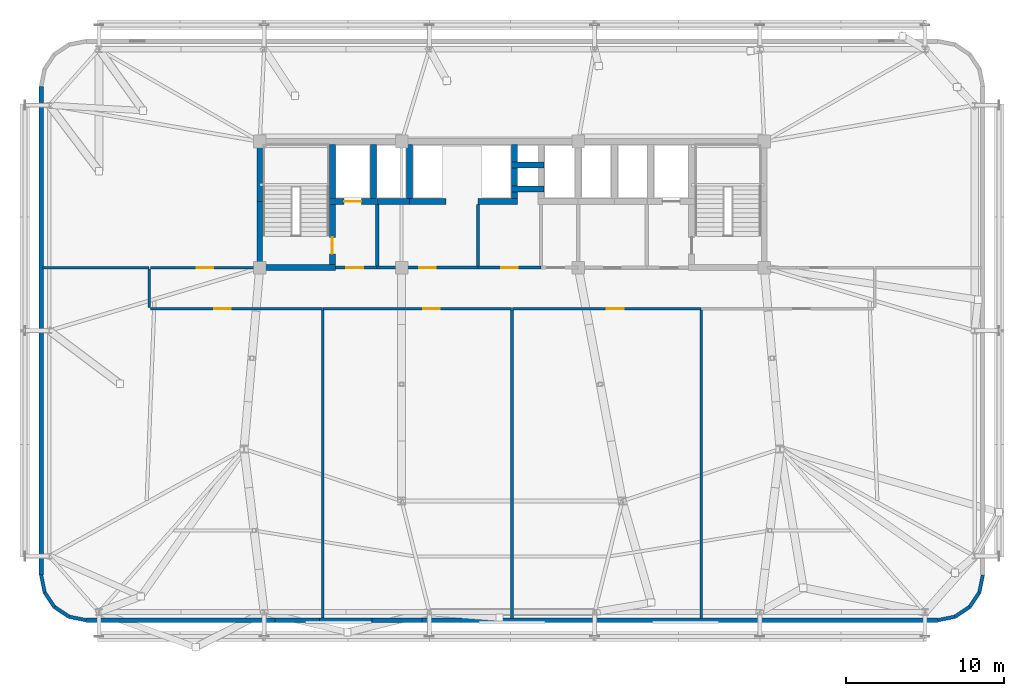
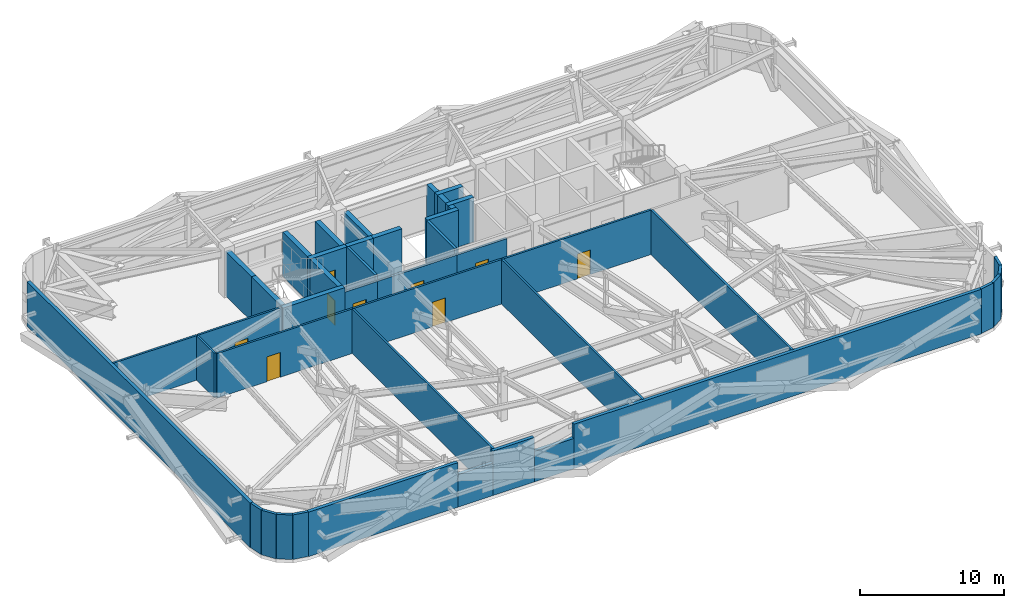
# One storey, part 21 of 24: 44 walls, 9 doors, 9 openings.
"""IFC4 building model written with IfcOpenShell, lengths in metres."""

from ifc_helpers import new_model, si_unit, direction, frame, frame_2d, origin, place, context, subcontext, project, spatial, rectangle, extrude, source, transform, mapped, material, layer, layer_set, type_object, element, fill, save


model = new_model("IFC4")

# Units and contexts
model_context = context("Model", 3, precision=1e-05, world=origin(), true_north=direction((0.0, 1.0)))
body_context = subcontext(model_context, "Body", "Model", "MODEL_VIEW")
ifc_project = project(units=[si_unit("LENGTHUNIT", "METRE"), si_unit("AREAUNIT", "SQUARE_METRE"), si_unit("VOLUMEUNIT", "CUBIC_METRE"), si_unit("PLANEANGLEUNIT", "RADIAN"), si_unit("MASSUNIT", "GRAM", prefix="KILO")], contexts=[model_context])

# Site, building, storey
site_placement = place(None, origin())
site = spatial("IfcSite", under=ifc_project, at=site_placement, CompositionType="ELEMENT")
building_placement = place(site_placement, origin())
building = spatial("IfcBuilding", under=site, at=building_placement, Name="Taldren Reach Tower", CompositionType="ELEMENT")
storey_placement = place(building_placement, frame((0.0, 0.0, 60.89990234375)))
storey = spatial("IfcBuildingStorey", under=building, at=storey_placement, Name="L18", CompositionType="ELEMENT", Elevation=60.89990234375)

# Walls
ifc_material_1 = material(Name="Pale Champagne Anodised Aluminium Cladding", Category="aluminium")
ifc_layer_1 = layer(ifc_material_1, 0.04, Name="Pale Champagne Anodised Aluminium Cladding", Category="aluminium")
ifc_material_2 = material(Name="Mineral Wool Acoustic Insulation", Category="insulation")
ifc_layer_2 = layer(ifc_material_2, 0.06, Name="Mineral Wool Acoustic Insulation", Category="insulation")
ifc_material_3 = material(Name="Steel Gr 350 (C350L0)", Category="steel")
ifc_layer_3 = layer(ifc_material_3, 0.12, Name="Steel Gr 350 (C350L0)", Category="steel")
ifc_layer_set_1 = layer_set([ifc_layer_1, ifc_layer_2, ifc_layer_3], Name="Pale Champagne Aluminium Cladding and Steel Gr 350 Stud Framing")
wall_type_1 = type_object("IfcWallType", Name="EW-CRN-220", PredefinedType="SOLIDWALL", material=ifc_layer_set_1)
shared_shape_1 = source(origin(), body_context, "Body", "SweptSolid", [
    extrude(rectangle(XDim=1.115966796875, YDim=0.219970703125, at=frame_2d((0.55810546875, 0.0))), origin(), (0.0, 0.0, 1.0), 3.780029296875),
])
for number, where, z_axis, x_axis, name in (
    (1, (62.0, 1.639892578125, 0.0), (0.0, 0.0, 1.0), (0.98077373103, 0.195148375659, 0.0), "Rounded-corner pale-metal facade wall L18-SE1"),
    (2, (63.094482421875, 1.857666015625, 0.0), (0.0, 0.0, 1.0), (0.83137650226, 0.555709556774, 0.0), "Rounded-corner pale-metal facade wall L18-SE2"),
    (3, (64.022216796875, 2.477783203125, 0.0), (0.0, 0.0, 1.0), (0.555709556774, 0.83137650226, 0.0), "Rounded-corner pale-metal facade wall L18-SE3"),
    (4, (64.642333984375, 3.405517578125, 0.0), (0.0, 0.0, 1.0), (0.195148375659, 0.98077373103, 0.0), "Rounded-corner pale-metal facade wall L18-SE4"),
    (5, (5.139892578125, 4.5, 0.0), (0.0, 0.0, 1.0), (0.195148375659, -0.98077373103, 0.0), "Rounded-corner pale-metal facade wall L18-SW1"),
    (6, (5.357666015625, 3.405517578125, 0.0), (0.0, 0.0, 1.0), (0.555709556774, -0.83137650226, 0.0), "Rounded-corner pale-metal facade wall L18-SW2"),
    (7, (5.977783203125, 2.477783203125, 0.0), (0.0, 0.0, 1.0), (0.83137650226, -0.555709556774, 0.0), "Rounded-corner pale-metal facade wall L18-SW3"),
    (8, (6.905517578125, 1.857666015625, 0.0), (0.0, 0.0, 1.0), (0.98077373103, -0.195148375659, 0.0), "Rounded-corner pale-metal facade wall L18-SW4"),
):
    element("IfcWall", number, at=place(storey_placement, frame(where, z_axis=z_axis, x_axis=x_axis)), inside=storey, type_object=wall_type_1, Name=name, PredefinedType="SOLIDWALL", context=body_context, shape_type="MappedRepresentation", body=[
        mapped(shared_shape_1, transform((0.0, 0.0, 0.0), scale=1.0)),
    ])
ifc_material_4 = material(Name="Perforated Anodised Aluminium Acoustic Liner", Category="aluminium")
ifc_layer_4 = layer(ifc_material_4, 0.04, Name="Perforated Anodised Aluminium Acoustic Liner", Category="aluminium")
ifc_layer_5 = layer(ifc_material_2, 0.08, Name="Mineral Wool Acoustic Insulation", Category="insulation")
ifc_layer_6 = layer(ifc_material_3, 0.15, Name="Steel Gr 350 (C350L0)", Category="steel")
ifc_layer_set_2 = layer_set([ifc_layer_4, ifc_layer_5, ifc_layer_6], Name="Perforated Anodised Aluminium Liner and Steel Gr 350 Stud Framing")
wall_type_2 = type_object("IfcWallType", Name="EW-PLT-270", PredefinedType="SOLIDWALL", material=ifc_layer_set_2)
shared_shape_2 = source(origin(), body_context, "Body", "SweptSolid", [
    extrude(rectangle(XDim=11.97607421875, YDim=0.27001953125, at=frame_2d((5.988037109375, 0.0))), origin(), (0.0, 0.0, 1.0), 3.780029296875),
])
wall_1_placement = place(storey_placement, frame((8.0, 1.639892578125, 0.0), z_axis=(0.0, 0.0, 1.0), x_axis=(1.0, 0.0, 0.0)))
element("IfcWall", 9, at=wall_1_placement, inside=storey, type_object=wall_type_2, Name="Plant floor perimeter enclosure wall L18-S", PredefinedType="SOLIDWALL", context=body_context, shape_type="MappedRepresentation", body=[
    mapped(shared_shape_2, transform((0.0, 0.0, 0.0), scale=1.0)),
])
shared_shape_3 = source(origin(), body_context, "Body", "SweptSolid", [
    extrude(rectangle(XDim=2.804443359375, YDim=0.27001953125, at=frame_2d((1.40234375, 0.0))), origin(), (0.0, 0.0, 1.0), 2.756103515625),
])
wall_2_placement = place(storey_placement, frame((19.97607421875, 1.639892578125, 0.0), z_axis=(0.0, 0.0, 1.0), x_axis=(1.0, 0.0, 0.0)))
element("IfcWall", 10, at=wall_2_placement, inside=storey, type_object=wall_type_2, Name="Plant floor perimeter enclosure wall L18-S part 2", PredefinedType="SOLIDWALL", context=body_context, shape_type="MappedRepresentation", body=[
    mapped(shared_shape_3, transform((0.0, 0.0, 0.0), scale=1.0)),
])
shared_shape_4 = source(origin(), body_context, "Body", "SweptSolid", [
    extrude(rectangle(XDim=3.33349609375, YDim=0.27001953125, at=frame_2d((1.666748046875, 0.0))), origin(), (0.0, 0.0, 1.0), 3.780029296875),
])
wall_3_placement = place(storey_placement, frame((22.780517578125, 1.639892578125, 0.0), z_axis=(0.0, 0.0, 1.0), x_axis=(1.0, 0.0, 0.0)))
element("IfcWall", 11, at=wall_3_placement, inside=storey, type_object=wall_type_2, Name="Plant floor perimeter enclosure wall L18-S part 3", PredefinedType="SOLIDWALL", context=body_context, shape_type="MappedRepresentation", body=[
    mapped(shared_shape_4, transform((0.0, 0.0, 0.0), scale=1.0)),
])
shared_shape_5 = source(origin(), body_context, "Body", "SweptSolid", [
    extrude(rectangle(XDim=3.171630859375, YDim=0.27001953125, at=frame_2d((1.5859375, 0.0))), origin(), (0.0, 0.0, 1.0), 2.580078125),
])
wall_4_placement = place(storey_placement, frame((26.114013671875, 1.639892578125, 0.0), z_axis=(0.0, 0.0, 1.0), x_axis=(1.0, 0.0, 0.0)))
element("IfcWall", 12, at=wall_4_placement, inside=storey, type_object=wall_type_2, Name="Plant floor perimeter enclosure wall L18-S part 4", PredefinedType="SOLIDWALL", context=body_context, shape_type="MappedRepresentation", body=[
    mapped(shared_shape_5, transform((0.0, 0.0, 0.0), scale=1.0)),
])
shared_shape_6 = source(origin(), body_context, "Body", "SweptSolid", [
    extrude(rectangle(XDim=32.71435546875, YDim=0.27001953125, at=frame_2d((16.357177734375, 0.0))), origin(), (0.0, 0.0, 1.0), 3.780029296875),
])
wall_5_placement = place(storey_placement, frame((29.28564453125, 1.639892578125, 0.0), z_axis=(0.0, 0.0, 1.0), x_axis=(1.0, 0.0, 0.0)))
element("IfcWall", 13, at=wall_5_placement, inside=storey, type_object=wall_type_2, Name="Plant floor perimeter enclosure wall L18-S part 5", PredefinedType="SOLIDWALL", context=body_context, shape_type="MappedRepresentation", body=[
    mapped(shared_shape_6, transform((0.0, 0.0, 0.0), scale=1.0)),
])
shared_shape_7 = source(origin(), body_context, "Body", "SweptSolid", [
    extrude(rectangle(XDim=31.0, YDim=0.27001953125, at=frame_2d((15.5, 0.0))), origin(), (0.0, 0.0, 1.0), 3.780029296875),
])
wall_6_placement = place(storey_placement, frame((5.139892578125, 35.5, 0.0), z_axis=(0.0, 0.0, 1.0), x_axis=(0.0, -1.0, 0.0)))
element("IfcWall", 14, at=wall_6_placement, inside=storey, type_object=wall_type_2, Name="Plant floor perimeter enclosure wall L18-W", PredefinedType="SOLIDWALL", context=body_context, shape_type="MappedRepresentation", body=[
    mapped(shared_shape_7, transform((0.0, 0.0, 0.0), scale=1.0)),
])
ifc_material_5 = material(Name="Concrete S80 (80 MPa)", Category="concrete")
ifc_layer_7 = layer(ifc_material_5, 0.3798828125)
ifc_layer_set_3 = layer_set([ifc_layer_7], Name="Concrete S80 (80 MPa)")
wall_type_3 = type_object("IfcWallType", Name="IW-CORE-380", PredefinedType="SHEAR", material=ifc_layer_set_3)
shared_shape_8 = source(origin(), body_context, "Body", "SweptSolid", [
    extrude(rectangle(XDim=4.010009765625, YDim=0.3798828125, at=frame_2d((2.0048828125, 0.0))), origin(), (0.0, 0.0, 1.0), 3.780029296875),
])
wall_7_placement = place(storey_placement, frame((19.0, 24.18994140625, 0.0), z_axis=(0.0, 0.0, 1.0), x_axis=(0.0, 1.0, 0.0)))
element("IfcWall", 15, at=wall_7_placement, inside=storey, type_object=wall_type_3, Name="Rear Core Shear Wall W-CORE-L18-WEST1", PredefinedType="SHEAR", context=body_context, shape_type="MappedRepresentation", body=[
    mapped(shared_shape_8, transform((0.0, 0.0, 0.0), scale=1.0)),
])
shared_shape_9 = source(origin(), body_context, "Body", "SweptSolid", [
    extrude(rectangle(XDim=3.610107421875, YDim=0.3798828125, at=frame_2d((1.80517578125, 0.0))), origin(), (0.0, 0.0, 1.0), 3.780029296875),
])
wall_8_placement = place(storey_placement, frame((19.0, 28.199951171875, 0.0), z_axis=(0.0, 0.0, 1.0), x_axis=(0.0, 1.0, 0.0)))
element("IfcWall", 16, at=wall_8_placement, inside=storey, type_object=wall_type_3, Name="Rear Core Shear Wall W-CORE-L18-WEST2", PredefinedType="SHEAR", context=body_context, shape_type="MappedRepresentation", body=[
    mapped(shared_shape_9, transform((0.0, 0.0, 0.0), scale=1.0)),
])
shared_shape_10 = source(origin(), body_context, "Body", "SweptSolid", [
    extrude(rectangle(XDim=3.420166015625, YDim=0.3798828125, at=frame_2d((1.7099609375, 0.0))), origin(), (0.0, 0.0, 1.0), 3.780029296875),
])
for number, where, z_axis, x_axis, name in (
    (17, (23.60009765625, 28.389892578125, 0.0), (0.0, 0.0, 1.0), (0.0, 1.0, 0.0), "Rear Core Shear Wall W-INT-L18-001"),
    (18, (26.199951171875, 28.389892578125, 0.0), (0.0, 0.0, 1.0), (0.0, 1.0, 0.0), "Rear Core Shear Wall W-INT-L18-005"),
    (19, (28.5, 28.389892578125, 0.0), (0.0, 0.0, 1.0), (0.0, 1.0, 0.0), "Rear Core Shear Wall W-INT-L18-021"),
):
    element("IfcWall", number, at=place(storey_placement, frame(where, z_axis=z_axis, x_axis=x_axis)), inside=storey, type_object=wall_type_3, Name=name, PredefinedType="SHEAR", context=body_context, shape_type="MappedRepresentation", body=[
        mapped(shared_shape_10, transform((0.0, 0.0, 0.0), scale=1.0)),
    ])

# Wall, opening, door
shared_shape_11 = source(origin(), body_context, "Body", "SweptSolid", [
    extrude(rectangle(XDim=3.820068359375, YDim=0.3798828125, at=frame_2d((1.91015625, 0.0))), origin(), (0.0, 0.0, 1.0), 3.780029296875),
])
wall_9_placement = place(storey_placement, frame((23.60009765625, 24.18994140625, 0.0), z_axis=(0.0, 0.0, 1.0), x_axis=(0.0, 1.0, 0.0)))
wall_9 = element("IfcWall", 20, at=wall_9_placement, inside=storey, type_object=wall_type_3, Name="Rear Core Shear Wall W-INT-L18-002", PredefinedType="SHEAR", context=body_context, shape_type="MappedRepresentation", body=[
    mapped(shared_shape_11, transform((0.0, 0.0, 0.0), scale=1.0)),
])
shared_shape_12 = source(origin(), body_context, "Body", "SweptSolid", [
    extrude(rectangle(XDim=1.050048828125, YDim=2.10009765625, at=frame_2d((0.52490234375, 1.050048828125))), frame((0.0, 0.199951171875, 0.0), z_axis=(0.0, -1.0, 0.0), x_axis=(1.0, 0.0, 0.0)), (0.0, 0.0, 1.0), 0.39990234375),
])
opening_1_placement = place(wall_9_placement, frame((0.68505859375, 0.0, 0.0)))
opening_1 = element("IfcOpeningElement", 21, at=opening_1_placement, cuts=wall_9, Name="Opening DF-105", PredefinedType="OPENING", context=body_context, shape_type="MappedRepresentation", body=[
    mapped(shared_shape_12, transform((0.0, 0.0, 0.0), scale=1.0)),
])
ifc_material_6 = material(Name="Fire-Rated Care and Stair Exit Door")
door_type_1 = type_object("IfcDoorType", Name="ID-FIRE-105", OperationType="NOTDEFINED", PredefinedType="DOOR", material=ifc_material_6)
shared_shape_13 = source(origin(), body_context, "Body", "SweptSolid", [
    extrude(rectangle(XDim=1.050048828125, YDim=2.10009765625, at=frame_2d((0.52490234375, 1.050048828125))), frame((0.0, 0.02490234375, 0.0), z_axis=(0.0, -1.0, 0.0), x_axis=(1.0, 0.0, 0.0)), (0.0, 0.0, 1.0), 0.050048828125),
])
door_1_placement = place(opening_1_placement, origin())
door_1 = element("IfcDoor", 22, at=door_1_placement, inside=storey, type_object=door_type_1, Name="Fire Exit Stair Door DR-L18-001", OperationType="SINGLE_SWING_LEFT", OverallHeight=2.10009765625, OverallWidth=1.050048828125, PredefinedType="DOOR", context=body_context, shape_type="MappedRepresentation", body=[
    mapped(shared_shape_13, transform((0.0, 0.0, 0.0), scale=1.0)),
])
fill(opening_1, door_1)

# Wall
shared_shape_14 = source(origin(), body_context, "Body", "SweptSolid", [
    extrude(rectangle(XDim=4.97998046875, YDim=0.3798828125, at=frame_2d((2.489990234375, 0.0))), origin(), (0.0, 0.0, 1.0), 3.780029296875),
])
wall_10_placement = place(storey_placement, frame((18.81005859375, 24.0, 0.0), z_axis=(0.0, 0.0, 1.0), x_axis=(1.0, 0.0, 0.0)))
element("IfcWall", 23, at=wall_10_placement, inside=storey, type_object=wall_type_3, Name="Rear Core Shear Wall W-INT-L18-003", PredefinedType="SHEAR", context=body_context, shape_type="MappedRepresentation", body=[
    mapped(shared_shape_14, transform((0.0, 0.0, 0.0), scale=1.0)),
])

# Wall, opening, door
shared_shape_15 = source(origin(), body_context, "Body", "SweptSolid", [
    extrude(rectangle(XDim=2.97998046875, YDim=0.3798828125, at=frame_2d((1.489990234375, 0.0))), origin(), (0.0, 0.0, 1.0), 3.780029296875),
])
wall_11_placement = place(storey_placement, frame((23.409912109375, 28.199951171875, 0.0), z_axis=(0.0, 0.0, 1.0), x_axis=(1.0, 0.0, 0.0)))
wall_11 = element("IfcWall", 24, at=wall_11_placement, inside=storey, type_object=wall_type_3, Name="Rear Core Shear Wall W-INT-L18-004", PredefinedType="SHEAR", context=body_context, shape_type="MappedRepresentation", body=[
    mapped(shared_shape_15, transform((0.0, 0.0, 0.0), scale=1.0)),
])
shared_shape_16 = source(origin(), body_context, "Body", "SweptSolid", [
    extrude(rectangle(XDim=1.10009765625, YDim=2.14990234375, at=frame_2d((0.550048828125, 1.074951171875))), frame((0.0, 0.199951171875, 0.0), z_axis=(0.0, -1.0, 0.0), x_axis=(1.0, 0.0, 0.0)), (0.0, 0.0, 1.0), 0.39990234375),
])
opening_2_placement = place(wall_11_placement, frame((0.93994140625, 0.0, 0.0)))
opening_2 = element("IfcOpeningElement", 25, at=opening_2_placement, cuts=wall_11, Name="Opening LD-FL1", PredefinedType="OPENING", context=body_context, shape_type="MappedRepresentation", body=[
    mapped(shared_shape_16, transform((0.0, 0.0, 0.0), scale=1.0)),
])
ifc_material_7 = material(Name="Stainless Steel Gr 316 Emergency Lift Landing Door", Category="steel")
door_type_2 = type_object("IfcDoorType", Name="LD-EMG-110", OperationType="SLIDING_TO_LEFT", PredefinedType="DOOR", material=ifc_material_7)
shared_shape_17 = source(origin(), body_context, "Body", "SweptSolid", [
    extrude(rectangle(XDim=1.10009765625, YDim=2.14990234375, at=frame_2d((0.550048828125, 1.074951171875))), frame((0.0, 0.02490234375, 0.0), z_axis=(0.0, -1.0, 0.0), x_axis=(1.0, 0.0, 0.0)), (0.0, 0.0, 1.0), 0.050048828125),
])
door_2_placement = place(opening_2_placement, origin())
door_2 = element("IfcDoor", 26, at=door_2_placement, inside=storey, type_object=door_type_2, Name="Lift Landing Door LD-FL1-L18", OperationType="SLIDING_TO_LEFT", OverallHeight=2.14990234375, OverallWidth=1.10009765625, PredefinedType="DOOR", context=body_context, shape_type="MappedRepresentation", body=[
    mapped(shared_shape_17, transform((0.0, 0.0, 0.0), scale=1.0)),
])
fill(opening_2, door_2)

# Walls
ifc_material_8 = material(Name="Concrete S50 (50 MPa)", Category="concrete")
ifc_layer_8 = layer(ifc_material_8, 0.199951171875)
ifc_layer_set_4 = layer_set([ifc_layer_8], Name="Concrete S50 (50 MPa)")
wall_type_4 = type_object("IfcWallType", Name="IW-CORE-200", PredefinedType="SOLIDWALL", material=ifc_layer_set_4)
shared_shape_18 = source(origin(), body_context, "Body", "SweptSolid", [
    extrude(rectangle(XDim=3.909912109375, YDim=0.199951171875, at=frame_2d((1.955078125, 0.0))), origin(), (0.0, 0.0, 1.0), 3.780029296875),
])
for number, where, z_axis, x_axis, name in (
    (27, (26.449951171875, 24.10009765625, 0.0), (0.0, 0.0, 1.0), (0.0, 1.0, 0.0), "Rear Core Shear Wall W-INT-L18-006"),
    (28, (32.85009765625, 28.010009765625, 0.0), (0.0, 0.0, 1.0), (0.0, -1.0, 0.0), "Rear Core Shear Wall W-INT-L18-032"),
):
    element("IfcWall", number, at=place(storey_placement, frame(where, z_axis=z_axis, x_axis=x_axis)), inside=storey, type_object=wall_type_4, Name=name, PredefinedType="SOLIDWALL", context=body_context, shape_type="MappedRepresentation", body=[
        mapped(shared_shape_18, transform((0.0, 0.0, 0.0), scale=1.0)),
    ])

# Wall, opening, door
shared_shape_19 = source(origin(), body_context, "Body", "SweptSolid", [
    extrude(rectangle(XDim=2.659912109375, YDim=0.199951171875, at=frame_2d((1.330078125, 0.0))), origin(), (0.0, 0.0, 1.0), 3.320068359375),
])
wall_12_placement = place(storey_placement, frame((23.7900390625, 24.0, 0.0), z_axis=(0.0, 0.0, 1.0), x_axis=(1.0, 0.0, 0.0)))
wall_12 = element("IfcWall", 29, at=wall_12_placement, inside=storey, type_object=wall_type_4, Name="Rear Core Shear Wall W-INT-L18-007", PredefinedType="SOLIDWALL", context=body_context, shape_type="MappedRepresentation", body=[
    mapped(shared_shape_19, transform((0.0, 0.0, 0.0), scale=1.0)),
])
shared_shape_20 = source(origin(), body_context, "Body", "SweptSolid", [
    extrude(rectangle(XDim=1.050048828125, YDim=2.10009765625, at=frame_2d((0.52490234375, 1.050048828125))), frame((0.0, 0.10986328125, 0.0), z_axis=(0.0, -1.0, 0.0), x_axis=(1.0, 0.0, 0.0)), (0.0, 0.0, 1.0), 0.219970703125),
])
opening_3_placement = place(wall_12_placement, frame((0.7099609375, 0.0, 0.0)))
opening_3 = element("IfcOpeningElement", 30, at=opening_3_placement, cuts=wall_12, Name="Opening DF-105", PredefinedType="OPENING", context=body_context, shape_type="MappedRepresentation", body=[
    mapped(shared_shape_20, transform((0.0, 0.0, 0.0), scale=1.0)),
])
door_3_placement = place(opening_3_placement, origin())
door_3 = element("IfcDoor", 31, at=door_3_placement, inside=storey, type_object=door_type_1, Name="Interior Door DR-L18-002", OperationType="SINGLE_SWING_LEFT", OverallHeight=2.10009765625, OverallWidth=1.050048828125, PredefinedType="DOOR", context=body_context, shape_type="MappedRepresentation", body=[
    mapped(shared_shape_13, transform((0.0, 0.0, 0.0), scale=1.0)),
])
fill(opening_3, door_3)

# Walls
shared_shape_21 = source(origin(), body_context, "Body", "SweptSolid", [
    extrude(rectangle(XDim=2.080078125, YDim=0.3798828125, at=frame_2d((1.0400390625, 0.0))), origin(), (0.0, 0.0, 1.0), 3.780029296875),
])
for number, where, z_axis, x_axis, name in (
    (32, (34.9599609375, 30.5, 0.0), (0.0, 0.0, 1.0), (1.0, 0.0, 0.0), "Rear Core Shear Wall W-INT-L18-015"),
    (33, (34.9599609375, 29.0, 0.0), (0.0, 0.0, 1.0), (1.0, 0.0, 0.0), "Rear Core Shear Wall W-INT-L18-020"),
):
    element("IfcWall", number, at=place(storey_placement, frame(where, z_axis=z_axis, x_axis=x_axis)), inside=storey, type_object=wall_type_3, Name=name, PredefinedType="SHEAR", context=body_context, shape_type="MappedRepresentation", body=[
        mapped(shared_shape_21, transform((0.0, 0.0, 0.0), scale=1.0)),
    ])
shared_shape_22 = source(origin(), body_context, "Body", "SweptSolid", [
    extrude(rectangle(XDim=1.1201171875, YDim=0.3798828125, at=frame_2d((0.56005859375, 0.0))), origin(), (0.0, 0.0, 1.0), 3.780029296875),
])
for number, where, z_axis, x_axis, name in (
    (34, (35.14990234375, 31.81005859375, 0.0), (0.0, 0.0, 1.0), (0.0, -1.0, 0.0), "Rear Core Shear Wall W-INT-L18-016"),
    (35, (35.14990234375, 30.31005859375, 0.0), (0.0, 0.0, 1.0), (0.0, -1.0, 0.0), "Rear Core Shear Wall W-INT-L18-018"),
):
    element("IfcWall", number, at=place(storey_placement, frame(where, z_axis=z_axis, x_axis=x_axis)), inside=storey, type_object=wall_type_3, Name=name, PredefinedType="SHEAR", context=body_context, shape_type="MappedRepresentation", body=[
        mapped(shared_shape_22, transform((0.0, 0.0, 0.0), scale=1.0)),
    ])
shared_shape_23 = source(origin(), body_context, "Body", "SweptSolid", [
    extrude(rectangle(XDim=2.070068359375, YDim=0.3798828125, at=frame_2d((1.03515625, 0.0))), origin(), (0.0, 0.0, 1.0), 3.780029296875),
])
wall_13_placement = place(storey_placement, frame((26.429931640625, 28.199951171875, 0.0), z_axis=(0.0, 0.0, 1.0), x_axis=(1.0, 0.0, 0.0)))
element("IfcWall", 36, at=wall_13_placement, inside=storey, type_object=wall_type_3, Name="Rear Core Shear Wall W-INT-L18-022", PredefinedType="SHEAR", context=body_context, shape_type="MappedRepresentation", body=[
    mapped(shared_shape_23, transform((0.0, 0.0, 0.0), scale=1.0)),
])
shared_shape_24 = source(origin(), body_context, "Body", "SweptSolid", [
    extrude(rectangle(XDim=2.300048828125, YDim=0.3798828125, at=frame_2d((1.14990234375, 0.0))), origin(), (0.0, 0.0, 1.0), 3.780029296875),
])
wall_14_placement = place(storey_placement, frame((28.5, 28.199951171875, 0.0), z_axis=(0.0, 0.0, 1.0), x_axis=(1.0, 0.0, 0.0)))
element("IfcWall", 37, at=wall_14_placement, inside=storey, type_object=wall_type_3, Name="Rear Core Shear Wall W-INT-L18-023", PredefinedType="SHEAR", context=body_context, shape_type="MappedRepresentation", body=[
    mapped(shared_shape_24, transform((0.0, 0.0, 0.0), scale=1.0)),
])
shared_shape_25 = source(origin(), body_context, "Body", "SweptSolid", [
    extrude(rectangle(XDim=2.489990234375, YDim=0.3798828125, at=frame_2d((1.2451171875, 0.0))), origin(), (0.0, 0.0, 1.0), 3.780029296875),
])
wall_15_placement = place(storey_placement, frame((32.85009765625, 28.199951171875, 0.0), z_axis=(0.0, 0.0, 1.0), x_axis=(1.0, 0.0, 0.0)))
element("IfcWall", 38, at=wall_15_placement, inside=storey, type_object=wall_type_3, Name="Rear Core Shear Wall W-INT-L18-024", PredefinedType="SHEAR", context=body_context, shape_type="MappedRepresentation", body=[
    mapped(shared_shape_25, transform((0.0, 0.0, 0.0), scale=1.0)),
])
shared_shape_26 = source(origin(), body_context, "Body", "SweptSolid", [
    extrude(rectangle(XDim=0.420166015625, YDim=0.3798828125, at=frame_2d((0.2099609375, 0.0))), origin(), (0.0, 0.0, 1.0), 3.780029296875),
])
wall_16_placement = place(storey_placement, frame((35.14990234375, 28.389892578125, 0.0), z_axis=(0.0, 0.0, 1.0), x_axis=(0.0, 1.0, 0.0)))
element("IfcWall", 39, at=wall_16_placement, inside=storey, type_object=wall_type_3, Name="Rear Core Shear Wall W-INT-L18-025", PredefinedType="SHEAR", context=body_context, shape_type="MappedRepresentation", body=[
    mapped(shared_shape_26, transform((0.0, 0.0, 0.0), scale=1.0)),
])

# Wall, opening, door
shared_shape_27 = source(origin(), body_context, "Body", "SweptSolid", [
    extrude(rectangle(XDim=6.400146484375, YDim=0.199951171875, at=frame_2d((3.2001953125, 0.0))), origin(), (0.0, 0.0, 1.0), 3.320068359375),
])
wall_17_placement = place(storey_placement, frame((32.85009765625, 24.0, 0.0), z_axis=(0.0, 0.0, 1.0), x_axis=(-1.0, 0.0, 0.0)))
wall_17 = element("IfcWall", 40, at=wall_17_placement, inside=storey, type_object=wall_type_4, Name="Rear Core Shear Wall W-INT-L18-033", PredefinedType="SOLIDWALL", context=body_context, shape_type="MappedRepresentation", body=[
    mapped(shared_shape_27, transform((0.0, 0.0, 0.0), scale=1.0)),
])
opening_4_placement = place(wall_17_placement, frame((2.675048828125, 0.0, 0.0)))
opening_4 = element("IfcOpeningElement", 41, at=opening_4_placement, cuts=wall_17, Name="Opening DF-105", PredefinedType="OPENING", context=body_context, shape_type="MappedRepresentation", body=[
    mapped(shared_shape_20, transform((0.0, 0.0, 0.0), scale=1.0)),
])
door_4_placement = place(opening_4_placement, frame((1.050048828125, 0.0, 0.0), z_axis=(0.0, 0.0, 1.0), x_axis=(-1.0, 0.0, 0.0)))
door_4 = element("IfcDoor", 42, at=door_4_placement, inside=storey, type_object=door_type_1, Name="Interior Door DR-L18-005", OperationType="SINGLE_SWING_LEFT", OverallHeight=2.10009765625, OverallWidth=1.050048828125, PredefinedType="DOOR", context=body_context, shape_type="MappedRepresentation", body=[
    mapped(shared_shape_13, transform((0.0, 0.0, 0.0), scale=1.0)),
])
fill(opening_4, door_4)

shared_shape_28 = source(origin(), body_context, "Body", "SweptSolid", [
    extrude(rectangle(XDim=4.0, YDim=0.199951171875, at=frame_2d((2.0, 0.0))), origin(), (0.0, 0.0, 1.0), 3.320068359375),
])
wall_18_placement = place(storey_placement, frame((36.85009765625, 24.0, 0.0), z_axis=(0.0, 0.0, 1.0), x_axis=(-1.0, 0.0, 0.0)))
wall_18 = element("IfcWall", 43, at=wall_18_placement, inside=storey, type_object=wall_type_4, Name="Rear Core Shear Wall W-INT-L18-035", PredefinedType="SOLIDWALL", context=body_context, shape_type="MappedRepresentation", body=[
    mapped(shared_shape_28, transform((0.0, 0.0, 0.0), scale=1.0)),
])
opening_5_placement = place(wall_18_placement, frame((1.47509765625, 0.0, 0.0)))
opening_5 = element("IfcOpeningElement", 44, at=opening_5_placement, cuts=wall_18, Name="Opening DF-105", PredefinedType="OPENING", context=body_context, shape_type="MappedRepresentation", body=[
    mapped(shared_shape_20, transform((0.0, 0.0, 0.0), scale=1.0)),
])
door_5_placement = place(opening_5_placement, frame((1.050048828125, 0.0, 0.0), z_axis=(0.0, 0.0, 1.0), x_axis=(-1.0, 0.0, 0.0)))
door_5 = element("IfcDoor", 45, at=door_5_placement, inside=storey, type_object=door_type_1, Name="Interior Door DR-L18-006", OperationType="SINGLE_SWING_RIGHT", OverallHeight=2.10009765625, OverallWidth=1.050048828125, PredefinedType="DOOR", context=body_context, shape_type="MappedRepresentation", body=[
    mapped(shared_shape_13, transform((0.0, 0.0, 0.0), scale=1.0)),
])
fill(opening_5, door_5)

ifc_material_9 = material(Name="Fire-Rated Acoustic Plasterboard Stud Wall", Category="gypsum")
ifc_layer_9 = layer(ifc_material_9, 0.159912109375)
ifc_layer_set_5 = layer_set([ifc_layer_9], Name="Fire-Rated Acoustic Plasterboard Stud Wall")
wall_type_5 = type_object("IfcWallType", Name="IW-FIRE-160", PredefinedType="PARTITIONING", material=ifc_layer_set_5)
shared_shape_29 = source(origin(), body_context, "Body", "SweptSolid", [
    extrude(rectangle(XDim=6.72998046875, YDim=0.159912109375, at=frame_2d((3.364990234375, 0.0))), origin(), (0.0, 0.0, 1.0), 3.780029296875),
])
wall_19_placement = place(storey_placement, frame((12.080078125, 24.0, 0.0), z_axis=(0.0, 0.0, 1.0), x_axis=(1.0, 0.0, 0.0)))
wall_19 = element("IfcWall", 46, at=wall_19_placement, inside=storey, type_object=wall_type_5, Name="Interior Partition Wall W-INT-L18-039", PredefinedType="PARTITIONING", context=body_context, shape_type="MappedRepresentation", body=[
    mapped(shared_shape_29, transform((0.0, 0.0, 0.0), scale=1.0)),
])
shared_shape_30 = source(origin(), body_context, "Body", "SweptSolid", [
    extrude(rectangle(XDim=1.050048828125, YDim=2.10009765625, at=frame_2d((0.52490234375, 1.050048828125))), frame((0.0, 0.08984375, 0.0), z_axis=(0.0, -1.0, 0.0), x_axis=(1.0, 0.0, 0.0)), (0.0, 0.0, 1.0), 0.179931640625),
])
opening_6_placement = place(wall_19_placement, frame((2.9248046875, 0.0, 0.0)))
opening_6 = element("IfcOpeningElement", 47, at=opening_6_placement, cuts=wall_19, Name="Opening DF-105", PredefinedType="OPENING", context=body_context, shape_type="MappedRepresentation", body=[
    mapped(shared_shape_30, transform((0.0, 0.0, 0.0), scale=1.0)),
])
door_6_placement = place(opening_6_placement, origin())
door_6 = element("IfcDoor", 48, at=door_6_placement, inside=storey, type_object=door_type_1, Name="Interior Door DR-L18-009", OperationType="SINGLE_SWING_RIGHT", OverallHeight=2.10009765625, OverallWidth=1.050048828125, PredefinedType="DOOR", context=body_context, shape_type="MappedRepresentation", body=[
    mapped(shared_shape_13, transform((0.0, 0.0, 0.0), scale=1.0)),
])
fill(opening_6, door_6)

shared_shape_31 = source(origin(), body_context, "Body", "SweptSolid", [
    extrude(rectangle(XDim=10.899658203125, YDim=0.159912109375, at=frame_2d((5.44970703125, 0.0))), origin(), (0.0, 0.0, 1.0), 3.780029296875),
])
wall_20_placement = place(storey_placement, frame((22.979736328125, 21.39990234375, 0.0), z_axis=(0.0, 0.0, 1.0), x_axis=(-1.0, 0.0, 0.0)))
wall_20 = element("IfcWall", 49, at=wall_20_placement, inside=storey, type_object=wall_type_5, Name="Interior Partition Wall W-INT-L18-041", PredefinedType="PARTITIONING", context=body_context, shape_type="MappedRepresentation", body=[
    mapped(shared_shape_31, transform((0.0, 0.0, 0.0), scale=1.0)),
])
opening_7_placement = place(wall_20_placement, frame((5.824951171875, 0.0, 0.0)))
opening_7 = element("IfcOpeningElement", 50, at=opening_7_placement, cuts=wall_20, Name="Opening DF-105", PredefinedType="OPENING", context=body_context, shape_type="MappedRepresentation", body=[
    mapped(shared_shape_30, transform((0.0, 0.0, 0.0), scale=1.0)),
])
door_7_placement = place(opening_7_placement, origin())
door_7 = element("IfcDoor", 51, at=door_7_placement, inside=storey, type_object=door_type_1, Name="Interior Door DR-L18-011", OperationType="SINGLE_SWING_RIGHT", OverallHeight=2.10009765625, OverallWidth=1.050048828125, PredefinedType="DOOR", context=body_context, shape_type="MappedRepresentation", body=[
    mapped(shared_shape_13, transform((0.0, 0.0, 0.0), scale=1.0)),
])
fill(opening_7, door_7)

# Wall
shared_shape_32 = source(origin(), body_context, "Body", "SweptSolid", [
    extrude(rectangle(XDim=2.43994140625, YDim=0.159912109375, at=frame_2d((1.219970703125, 0.0))), origin(), (0.0, 0.0, 1.0), 3.780029296875),
])
wall_21_placement = place(storey_placement, frame((12.0, 21.47998046875, 0.0), z_axis=(0.0, 0.0, 1.0), x_axis=(0.0, 1.0, 0.0)))
element("IfcWall", 52, at=wall_21_placement, inside=storey, type_object=wall_type_5, Name="Interior Partition Wall W-INT-L18-042", PredefinedType="PARTITIONING", context=body_context, shape_type="MappedRepresentation", body=[
    mapped(shared_shape_32, transform((0.0, 0.0, 0.0), scale=1.0)),
])

# Wall, opening, door
shared_shape_33 = source(origin(), body_context, "Body", "SweptSolid", [
    extrude(rectangle(XDim=11.95947265625, YDim=0.159912109375, at=frame_2d((5.979736328125, 0.0))), origin(), (0.0, 0.0, 1.0), 3.780029296875),
])
wall_22_placement = place(storey_placement, frame((34.979736328125, 21.39990234375, 0.0), z_axis=(0.0, 0.0, 1.0), x_axis=(-1.0, 0.0, 0.0)))
wall_22 = element("IfcWall", 53, at=wall_22_placement, inside=storey, type_object=wall_type_5, Name="Interior Partition Wall W-INT-L18-043", PredefinedType="PARTITIONING", context=body_context, shape_type="MappedRepresentation", body=[
    mapped(shared_shape_33, transform((0.0, 0.0, 0.0), scale=1.0)),
])
opening_8_placement = place(wall_22_placement, frame((4.5546875, 0.0, 0.0)))
opening_8 = element("IfcOpeningElement", 54, at=opening_8_placement, cuts=wall_22, Name="Opening DF-105", PredefinedType="OPENING", context=body_context, shape_type="MappedRepresentation", body=[
    mapped(shared_shape_30, transform((0.0, 0.0, 0.0), scale=1.0)),
])
door_8_placement = place(opening_8_placement, origin())
door_8 = element("IfcDoor", 55, at=door_8_placement, inside=storey, type_object=door_type_1, Name="Interior Door DR-L18-012", OperationType="SINGLE_SWING_LEFT", OverallHeight=2.10009765625, OverallWidth=1.050048828125, PredefinedType="DOOR", context=body_context, shape_type="MappedRepresentation", body=[
    mapped(shared_shape_13, transform((0.0, 0.0, 0.0), scale=1.0)),
])
fill(opening_8, door_8)

wall_23_placement = place(storey_placement, frame((46.979736328125, 21.39990234375, 0.0), z_axis=(0.0, 0.0, 1.0), x_axis=(-1.0, 0.0, 0.0)))
wall_23 = element("IfcWall", 56, at=wall_23_placement, inside=storey, type_object=wall_type_5, Name="Interior Partition Wall W-INT-L18-044", PredefinedType="PARTITIONING", context=body_context, shape_type="MappedRepresentation", body=[
    mapped(shared_shape_33, transform((0.0, 0.0, 0.0), scale=1.0)),
])
opening_9_placement = place(wall_23_placement, frame((4.90478515625, 0.0, 0.0)))
opening_9 = element("IfcOpeningElement", 57, at=opening_9_placement, cuts=wall_23, Name="Opening DF-105", PredefinedType="OPENING", context=body_context, shape_type="MappedRepresentation", body=[
    mapped(shared_shape_30, transform((0.0, 0.0, 0.0), scale=1.0)),
])
door_9_placement = place(opening_9_placement, origin())
door_9 = element("IfcDoor", 58, at=door_9_placement, inside=storey, type_object=door_type_1, Name="Interior Door DR-L18-013", OperationType="SINGLE_SWING_LEFT", OverallHeight=2.10009765625, OverallWidth=1.050048828125, PredefinedType="DOOR", context=body_context, shape_type="MappedRepresentation", body=[
    mapped(shared_shape_13, transform((0.0, 0.0, 0.0), scale=1.0)),
])
fill(opening_9, door_9)

# Walls
shared_shape_34 = source(origin(), body_context, "Body", "SweptSolid", [
    extrude(rectangle(XDim=6.749755859375, YDim=0.159912109375, at=frame_2d((3.375, 0.0))), origin(), (0.0, 0.0, 1.0), 3.780029296875),
])
wall_24_placement = place(storey_placement, frame((11.979736328125, 24.0, 0.0), z_axis=(0.0, 0.0, 1.0), x_axis=(-1.0, 0.0, 0.0)))
element("IfcWall", 59, at=wall_24_placement, inside=storey, type_object=wall_type_5, Name="Interior Partition Wall W-INT-L18-047", PredefinedType="PARTITIONING", context=body_context, shape_type="MappedRepresentation", body=[
    mapped(shared_shape_34, transform((0.0, 0.0, 0.0), scale=1.0)),
])
shared_shape_35 = source(origin(), body_context, "Body", "SweptSolid", [
    extrude(rectangle(XDim=19.590087890625, YDim=0.159912109375, at=frame_2d((9.794921875, 0.0))), origin(), (0.0, 0.0, 1.0), 3.780029296875),
])
for number, where, z_axis, x_axis, name in (
    (60, (23.0, 21.320068359375, 0.0), (0.0, 0.0, 1.0), (0.0, -1.0, 0.0), "Interior Partition Wall W-INT-L18-049"),
    (61, (35.0, 21.320068359375, 0.0), (0.0, 0.0, 1.0), (0.0, -1.0, 0.0), "Interior Partition Wall W-INT-L18-050"),
    (62, (47.0, 21.320068359375, 0.0), (0.0, 0.0, 1.0), (0.0, -1.0, 0.0), "Interior Partition Wall W-INT-L18-051"),
):
    element("IfcWall", number, at=place(storey_placement, frame(where, z_axis=z_axis, x_axis=x_axis)), inside=storey, type_object=wall_type_5, Name=name, PredefinedType="PARTITIONING", context=body_context, shape_type="MappedRepresentation", body=[
        mapped(shared_shape_35, transform((0.0, 0.0, 0.0), scale=1.0)),
    ])

save(model, "model.ifc")
